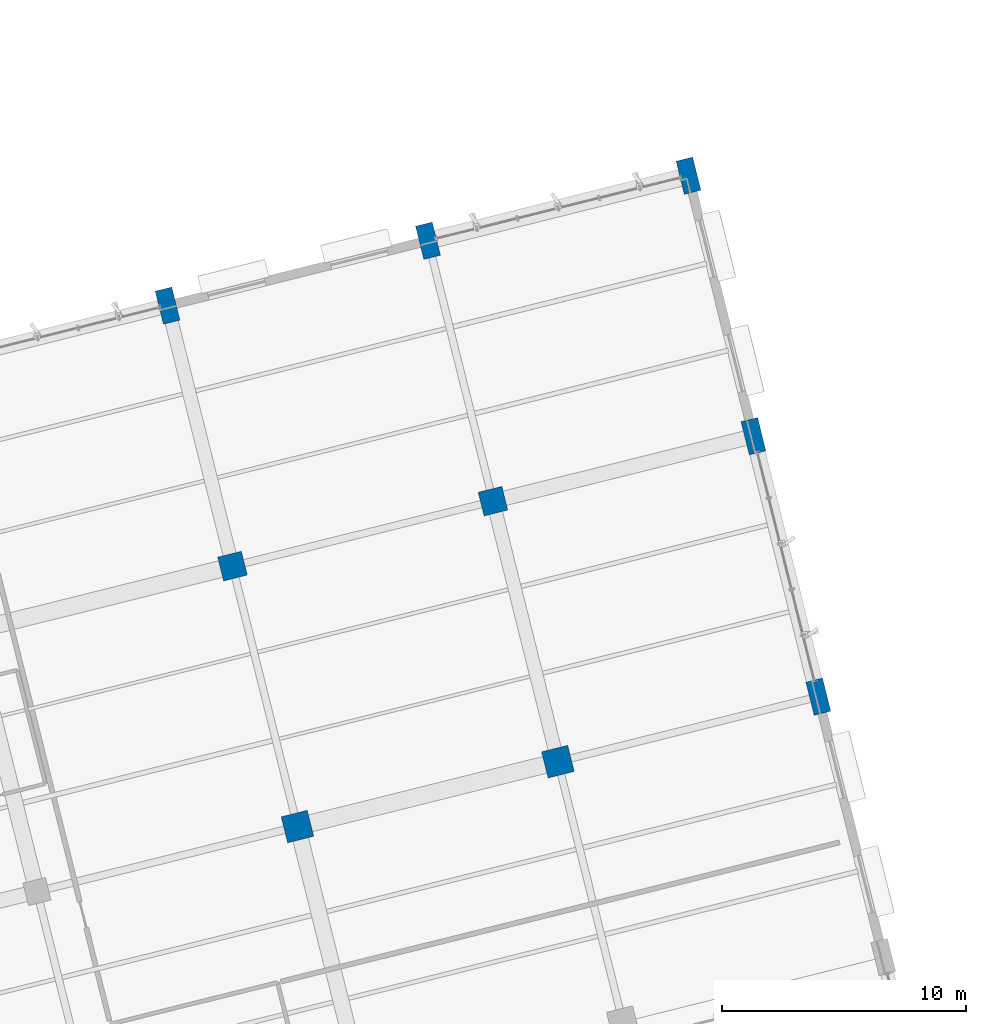
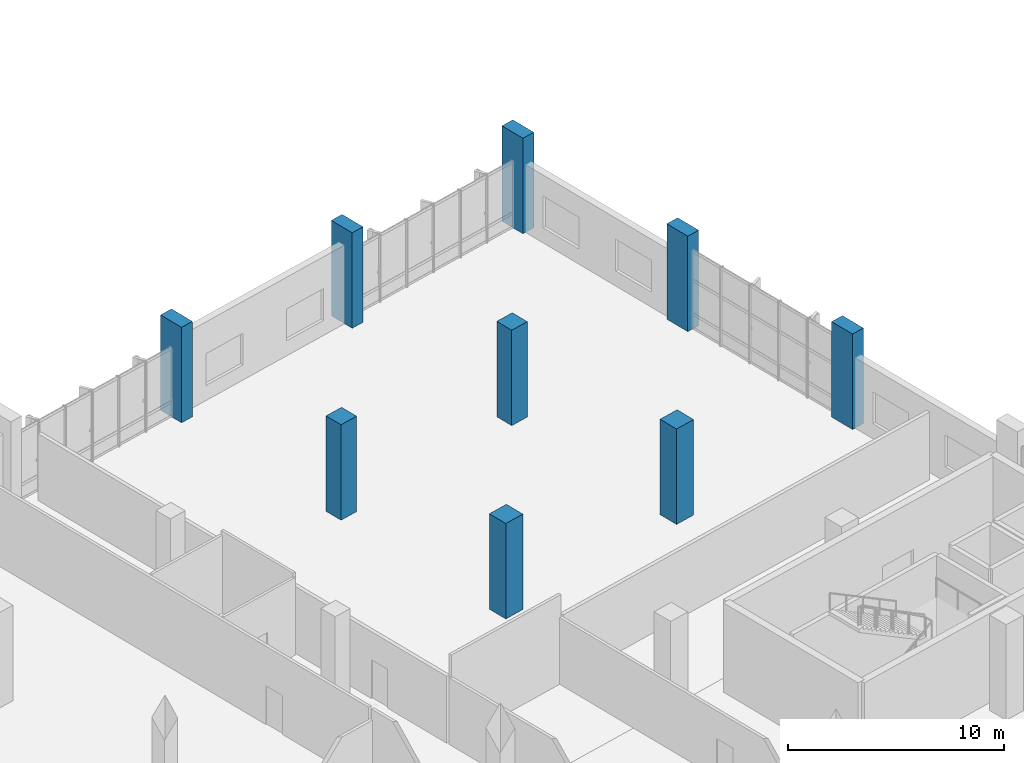
# One storey, part 16 of 176: 9 columns.
"""IFC4 building model written with IfcOpenShell, lengths in metres."""

import ifcopenshell
import ifcopenshell.guid

model = None  # the IFC model being written
_history = None  # IfcOwnerHistory: only IFC2X3 demands one
_inside = {}  # id of a spatial element -> (the spatial element, [elements in it])
_under = {}  # id of a project, library or spatial element -> (it, [spatial elements below it])
_declared = {}  # id of a project -> (the project, [libraries it declares])
_typed = {}  # id of a type object -> (the type object, [elements of that type])
_made_of = {}  # id of a material, layer set ... -> (it, [elements and type objects made of it])


def new_model(schema):
    """Start an empty IFC model of exactly this schema.

    Asked for "IFC4X3", IfcOpenShell would pick the latest addendum, in which some entities
    have other attributes; the version numbers below select the first issue.
    IFC2X3 requires an IfcOwnerHistory on every rooted entity: one is made here for all.
    """
    global model, _history
    if schema == "IFC4X3":
        model = ifcopenshell.file(schema_version=(4, 3, 0, 0))
    else:
        model = ifcopenshell.file(schema=schema)
    _inside.clear()
    _under.clear()
    _declared.clear()
    _typed.clear()
    _made_of.clear()
    _history = None
    if model.schema == "IFC2X3":
        org = make("IfcOrganization", Name="unknown")
        user = make(
            "IfcPersonAndOrganization",
            ThePerson=make("IfcPerson", FamilyName="unknown"),
            TheOrganization=org,
        )
        app = make(
            "IfcApplication",
            ApplicationDeveloper=org,
            Version="unknown",
            ApplicationFullName="unknown",
            ApplicationIdentifier="unknown",
        )
        _history = make(
            "IfcOwnerHistory",
            OwningUser=user,
            OwningApplication=app,
            ChangeAction="ADDED",
            CreationDate=0,
        )
    return model


def make(cls, **values):
    """One entity of the class cls with the attributes given. An attribute that is None is left unset."""
    return model.create_entity(
        cls, **{name: value for name, value in values.items() if value is not None}
    )


def rooted(cls, **values):
    """An entity with a GlobalId (a new one), such as an element, a storey or a relation."""
    return make(cls, GlobalId=ifcopenshell.guid.new(), OwnerHistory=_history, **values)


def si_unit(unit_type, name, prefix=None):
    """IfcSIUnit, for example si_unit("LENGTHUNIT", "METRE", prefix="MILLI")."""
    return make("IfcSIUnit", UnitType=unit_type, Prefix=prefix, Name=name)


def assignment(units):
    """IfcUnitAssignment: the units of a project."""
    return None if units is None else make("IfcUnitAssignment", Units=units)


def point(xyz):
    """IfcCartesianPoint."""
    return None if xyz is None else make("IfcCartesianPoint", Coordinates=xyz)


def direction(xyz):
    """IfcDirection."""
    return None if xyz is None else make("IfcDirection", DirectionRatios=xyz)


def frame(location, z_axis=None, x_axis=None):
    """IfcAxis2Placement3D, a coordinate frame: its origin and axes. An axis left out is left unset."""
    return make(
        "IfcAxis2Placement3D",
        Location=point(location),
        Axis=direction(z_axis),
        RefDirection=direction(x_axis),
    )


def frame_2d(location, x_axis=None):
    """IfcAxis2Placement2D, a coordinate frame in the plane: its origin and x axis."""
    return make(
        "IfcAxis2Placement2D", Location=point(location), RefDirection=direction(x_axis)
    )


def origin():
    """The frame at (0, 0, 0) with its axes left unset."""
    return frame((0.0, 0.0, 0.0))


def origin_2d():
    """The frame at (0, 0) in the plane with its x axis left unset."""
    return frame_2d((0.0, 0.0))


def place(relative_to, where):
    """IfcLocalPlacement: puts the frame where relative to a parent placement (None: the world)."""
    return make(
        "IfcLocalPlacement", PlacementRelTo=relative_to, RelativePlacement=where
    )


def context(
    kind, dimensions, precision=None, world=None, true_north=None, identifier=None
):
    """IfcGeometricRepresentationContext, for example the 3D "Model" context."""
    return make(
        "IfcGeometricRepresentationContext",
        ContextIdentifier=identifier,
        ContextType=kind,
        CoordinateSpaceDimension=dimensions,
        Precision=precision,
        WorldCoordinateSystem=world,
        TrueNorth=true_north,
    )


def subcontext(parent, identifier, kind, view, scale=None):
    """IfcGeometricRepresentationSubContext, for example "Body" below "Model"."""
    return make(
        "IfcGeometricRepresentationSubContext",
        ContextIdentifier=identifier,
        ContextType=kind,
        ParentContext=parent,
        TargetScale=scale,
        TargetView=view,
    )


def project(units=None, contexts=None):
    """IfcProject with its units and contexts."""
    return rooted(
        "IfcProject",
        Name="project",
        RepresentationContexts=contexts,
        UnitsInContext=assignment(units),
    )


def spatial(cls, under=None, at=None, **own):
    """A site, building, storey or space (cls), placed at a placement, below another one or the project."""
    s = rooted(cls, ObjectPlacement=at, **own)
    if under is not None:
        _under.setdefault(under.id(), (under, []))[1].append(s)
    return s


def profile(cls, at=None, kind="AREA", **sizes):
    """A parametric profile (cls). Its sizes go by their IFC names, for example OverallWidth=200.0."""
    return make(cls, ProfileType=kind, Position=at, **sizes)


def rectangle(**sizes):
    """IfcRectangleProfileDef."""
    return profile("IfcRectangleProfileDef", **sizes)


def extrude(swept, where, along, depth):
    """IfcExtrudedAreaSolid: the profile swept, set in the frame where, extruded along a direction by depth."""
    return make(
        "IfcExtrudedAreaSolid",
        SweptArea=swept,
        Position=where,
        ExtrudedDirection=direction(along),
        Depth=depth,
    )


def shape(context_of_items, identifier, shape_type, items):
    """IfcShapeRepresentation: the items that make up one representation, for example the "Body"."""
    return make(
        "IfcShapeRepresentation",
        ContextOfItems=context_of_items,
        RepresentationIdentifier=identifier,
        RepresentationType=shape_type,
        Items=items,
    )


def material(Name=None, Category=None):
    """IfcMaterial."""
    return make("IfcMaterial", Name=Name, Category=Category)


def material_profile(
    of_material, cross_section, Name=None, Category=None, Priority=None
):
    """IfcMaterialProfile: a cross section and its material."""
    return make(
        "IfcMaterialProfile",
        Name=Name,
        Material=of_material,
        Profile=cross_section,
        Priority=Priority,
        Category=Category,
    )


def profile_set(profiles, Name=None, composite=None):
    """IfcMaterialProfileSet."""
    return make(
        "IfcMaterialProfileSet",
        Name=Name,
        MaterialProfiles=profiles,
        CompositeProfile=composite,
    )


def made_of(thing, what):
    """Note that an element or type object is made of a material, layer set ...; save() writes the relation."""
    if what is not None:
        _made_of.setdefault(what.id(), (what, []))[1].append(thing)
    return thing


def type_object(cls, material=None, **own):
    """A type object (cls), such as IfcWallType, which elements share."""
    return made_of(rooted(cls, **own), material)


def element(
    cls,
    number,
    at=None,
    inside=None,
    cuts=None,
    type_object=None,
    material=None,
    context=None,
    identifier="Body",
    shape_type=None,
    held_by="IfcProductDefinitionShape",
    body=None,
    shapes=None,
    **own,
):
    """One element of the class cls, such as IfcWall. Its Tag is "e" and its number.

    at: its placement. inside: the storey or other place that contains it. cuts: it is an
    opening in that element (IfcRelVoidsElement). A single representation is given by context,
    identifier, shape_type and body (its items); several are given by shapes. held_by: the class
    of the entity that holds the representations. save() writes the other relations.
    """
    e = rooted(cls, Tag="e%d" % number, ObjectPlacement=at, **own)
    if body is not None:
        shapes = [shape(context, identifier, shape_type, body)]
    if shapes is not None:
        e.Representation = make(held_by, Representations=shapes)
    if inside is not None:
        _inside.setdefault(inside.id(), (inside, []))[1].append(e)
    if cuts is not None:
        rooted(
            "IfcRelVoidsElement", RelatingBuildingElement=cuts, RelatedOpeningElement=e
        )
    if type_object is not None:
        _typed.setdefault(type_object.id(), (type_object, []))[1].append(e)
    return made_of(e, material)


def aggregate(whole, parts):
    """IfcRelAggregates: a whole, such as a stair, and the parts it consists of."""
    return rooted("IfcRelAggregates", RelatingObject=whole, RelatedObjects=parts)


def save(model, path):
    """Write the relations noted so far, then the file.

    IfcRelAggregates (storeys below a building ...), IfcRelContainedInSpatialStructure (elements
    in a storey), IfcRelDefinesByType, IfcRelAssociatesMaterial and IfcRelDeclares: one each for
    every whole, place, type object, material and project.
    """
    for whole, parts in _under.values():
        aggregate(whole, parts)
    for where, things in _inside.values():
        rooted(
            "IfcRelContainedInSpatialStructure",
            RelatedElements=things,
            RelatingStructure=where,
        )
    for kind, things in _typed.values():
        rooted("IfcRelDefinesByType", RelatedObjects=things, RelatingType=kind)
    for what, things in _made_of.values():
        rooted("IfcRelAssociatesMaterial", RelatedObjects=things, RelatingMaterial=what)
    for by, libraries in _declared.values():
        rooted("IfcRelDeclares", RelatingContext=by, RelatedDefinitions=libraries)
    model.write(path)


model = new_model("IFC4")

# Units and contexts
model_context = context("Model", 3, precision=1e-05, world=origin(), true_north=direction((0.0, 1.0)))
body_context = subcontext(model_context, "Body", "Model", "MODEL_VIEW")
ifc_project = project(units=[si_unit("LENGTHUNIT", "METRE"), si_unit("AREAUNIT", "SQUARE_METRE"), si_unit("VOLUMEUNIT", "CUBIC_METRE"), si_unit("PLANEANGLEUNIT", "RADIAN"), si_unit("MASSUNIT", "GRAM", prefix="KILO")], contexts=[model_context])

# Site, building, storey
site_placement = place(None, origin())
site = spatial("IfcSite", under=ifc_project, at=site_placement, CompositionType="ELEMENT")
building_placement = place(site_placement, origin())
building = spatial("IfcBuilding", under=site, at=building_placement, Name="Khorjan Park Terminus", CompositionType="ELEMENT")
storey_placement = place(building_placement, frame((0.0, 0.0, 6.0)))
storey = spatial("IfcBuildingStorey", under=building, at=storey_placement, Name="L01", CompositionType="ELEMENT", Elevation=6.0)

# Columns
ifc_material = material(Name="Concrete C50/60", Category="concrete")
ifc_material_profile_1 = material_profile(ifc_material, rectangle(XDim=0.7, YDim=1.4, at=origin_2d()), Name="RC 700x1400")
ifc_profile_set_1 = profile_set([ifc_material_profile_1], Name="Concrete C50/60")
column_type_1 = type_object("IfcColumnType", Name="COL-BL1400E", PredefinedType="COLUMN", material=ifc_profile_set_1)
for number, where, z_axis, x_axis, name in (
    (1, (192.726, 76.684, 0.0), (0.0, 0.0, 1.0), (0.970295726276, 0.2419218956, 0.0), "Structural column C-BL14 (L01 #833)"),
    (2, (203.399, 79.345, 0.0), (0.0, 0.0, 1.0), (0.970295726276, 0.2419218956, 0.0), "Structural column C-BL14 (L01 #879)"),
    (3, (219.395, 60.66, 0.0), (0.0, 0.0, 1.0), (0.970295726276, 0.2419218956, 0.0), "Structural column C-BL14 (L01 #912)"),
    (4, (216.734, 71.333, 0.0), (0.0, 0.0, 1.0), (0.970295726276, 0.2419218956, 0.0), "Structural column C-BL14 (L01 #919)"),
    (5, (214.073, 82.006, 0.0), (0.0, 0.0, 1.0), (0.970295726276, 0.2419218956, 0.0), "Structural column C-BL14 (L01 #925)"),
):
    element("IfcColumn", number, at=place(storey_placement, frame(where, z_axis=z_axis, x_axis=x_axis)), inside=storey, type_object=column_type_1, Name=name, PredefinedType="COLUMN", context=body_context, shape_type="SweptSolid", body=[
        extrude(rectangle(XDim=0.7, YDim=1.4, at=origin_2d()), origin(), (0.0, 0.0, 1.0), 5.4),
    ])
ifc_material_profile_2 = material_profile(ifc_material, rectangle(XDim=1.0, YDim=1.0, at=origin_2d()), Name="RC 1000x1000")
ifc_profile_set_2 = profile_set([ifc_material_profile_2], Name="Concrete C50/60")
column_type_2 = type_object("IfcColumnType", Name="COL-RC1000", PredefinedType="COLUMN", material=ifc_profile_set_2)
for number, where, z_axis, x_axis, name in (
    (6, (195.387, 66.011, 0.0), (0.0, 0.0, 1.0), (0.970295726276, 0.2419218956, 0.0), "Structural column C-RC10 (L01 #827)"),
    (7, (206.061, 68.672, 0.0), (0.0, 0.0, 1.0), (0.970295726276, 0.2419218956, 0.0), "Structural column C-RC10 (L01 #873)"),
):
    element("IfcColumn", number, at=place(storey_placement, frame(where, z_axis=z_axis, x_axis=x_axis)), inside=storey, type_object=column_type_2, Name=name, PredefinedType="COLUMN", context=body_context, shape_type="SweptSolid", body=[
        extrude(rectangle(XDim=1.0, YDim=1.0, at=origin_2d()), origin(), (0.0, 0.0, 1.0), 5.4),
    ])
ifc_material_profile_3 = material_profile(ifc_material, rectangle(XDim=1.1, YDim=1.1, at=origin_2d()), Name="RC 1100x1100")
ifc_profile_set_3 = profile_set([ifc_material_profile_3], Name="Concrete C50/60")
column_type_3 = type_object("IfcColumnType", Name="COL-RC1100", PredefinedType="COLUMN", material=ifc_profile_set_3)
for number, where, z_axis, x_axis, name in (
    (8, (198.048, 55.338, 0.0), (0.0, 0.0, 1.0), (0.970295726276, 0.2419218956, 0.0), "Structural column C-RC11 (L01 #820)"),
    (9, (208.722, 57.999, 0.0), (0.0, 0.0, 1.0), (0.970295726276, 0.2419218956, 0.0), "Structural column C-RC11 (L01 #866)"),
):
    element("IfcColumn", number, at=place(storey_placement, frame(where, z_axis=z_axis, x_axis=x_axis)), inside=storey, type_object=column_type_3, Name=name, PredefinedType="COLUMN", context=body_context, shape_type="SweptSolid", body=[
        extrude(rectangle(XDim=1.1, YDim=1.1, at=origin_2d()), origin(), (0.0, 0.0, 1.0), 5.4),
    ])

save(model, "model.ifc")
